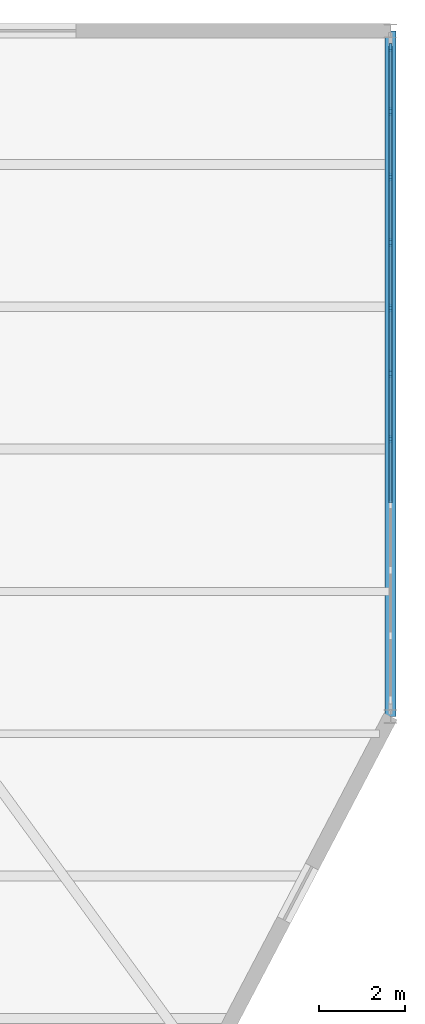
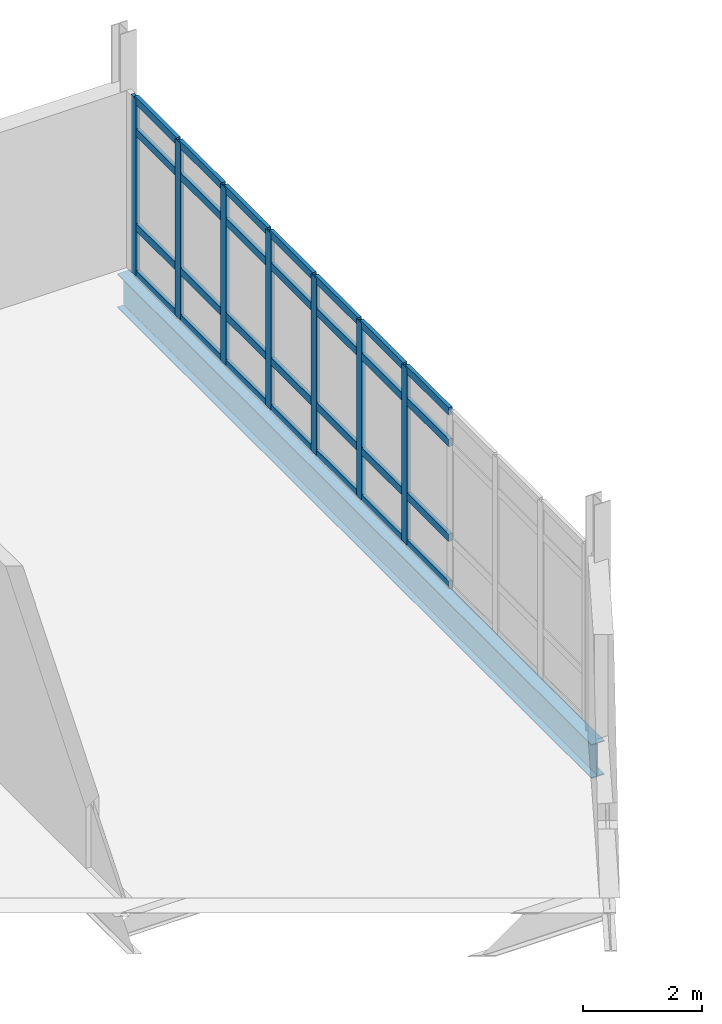
# One storey, part 80 of 134: 35 members, 1 beam, 1 element without a shape of its own.
"""IFC4 building model written with IfcOpenShell, lengths in metres."""

from ifc_helpers import new_model, si_unit, direction, frame, origin, origin_2d, place, context, subcontext, project, spatial, rectangle, i_section, extrude, material, material_profile, profile_set, type_object, element, aggregate, save


model = new_model("IFC4")

# Units and contexts
model_context = context("Model", 3, precision=1e-05, world=origin(), true_north=direction((0.0, 1.0)))
body_context = subcontext(model_context, "Body", "Model", "MODEL_VIEW")
ifc_project = project(units=[si_unit("LENGTHUNIT", "METRE"), si_unit("AREAUNIT", "SQUARE_METRE"), si_unit("VOLUMEUNIT", "CUBIC_METRE"), si_unit("PLANEANGLEUNIT", "RADIAN"), si_unit("MASSUNIT", "GRAM", prefix="KILO")], contexts=[model_context])

# Site, building, storey
site_placement = place(None, origin())
site = spatial("IfcSite", under=ifc_project, at=site_placement, CompositionType="ELEMENT")
building_placement = place(site_placement, origin())
building = spatial("IfcBuilding", under=site, at=building_placement, Name="Tameran Prism Museum", CompositionType="ELEMENT")
storey_placement = place(building_placement, frame((0.0, 0.0, 5.39990234375)))
storey = spatial("IfcBuildingStorey", under=building, at=storey_placement, Name="L01", CompositionType="ELEMENT", Elevation=5.39990234375)

# Beam
ifc_material_1 = material(Name="Steel Grade 350 (350 MPa)", Category="steel")
ifc_material_profile_1 = material_profile(ifc_material_1, i_section(OverallWidth=0.25, OverallDepth=0.699951171875, WebThickness=0.010009765625, FlangeThickness=0.02001953125, at=origin_2d()))
ifc_profile_set_1 = profile_set([ifc_material_profile_1])
beam_type = type_object("IfcBeamType", Name="BM-SP700", PredefinedType="SPANDREL", material=ifc_profile_set_1)
beam_placement = place(storey_placement, frame((166.39990234375, 96.10009765625, -0.5498046875), z_axis=(0.0, 1.0, 0.0), x_axis=(-1.0, 0.0, 0.0)))
element("IfcBeam", 1, at=beam_placement, inside=storey, type_object=beam_type, Name="Perimeter Spandrel SP-0342", PredefinedType="SPANDREL", context=body_context, shape_type="SweptSolid", body=[
    extrude(i_section(OverallWidth=0.25, OverallDepth=0.699951171875, WebThickness=0.010009765625, FlangeThickness=0.02001953125, at=origin_2d()), origin(), (0.0, 0.0, 1.0), 15.89990234375),
])

# Curtain wall, members
ifc_material_2 = material(Name="Anodised Aluminium 6063-T6 and Cyclone Solar Glass", Category="aluminium")
curtain_wall_type = type_object("IfcCurtainWallType", Name="CW-FAC-1520x362", PredefinedType="USERDEFINED", material=ifc_material_2)
curtain_wall_placement = place(storey_placement, origin())
curtain_wall = element("IfcCurtainWall", 2, at=curtain_wall_placement, inside=storey, type_object=curtain_wall_type, Name="Unitised Curtain Wall CW-060", ObjectType="UNITISED CURTAIN WALL", PredefinedType="USERDEFINED")
ifc_material_3 = material(Name="Anodised Aluminium Alloy 6063-T6", Category="aluminium")
ifc_material_profile_2 = material_profile(ifc_material_3, rectangle(XDim=0.070068359375, YDim=0.179931640625, at=origin_2d()))
ifc_profile_set_2 = profile_set([ifc_material_profile_2])
member_type_1 = type_object("IfcMemberType", Name="CW-MUL-B", PredefinedType="MULLION", material=ifc_profile_set_2)
member_1_placement = place(storey_placement, frame((166.39990234375, 111.614990234375, 0.0), z_axis=(0.0, 0.0, 1.0), x_axis=(1.0, 0.0, 0.0)))
member_1 = element("IfcMember", 3, at=member_1_placement, type_object=member_type_1, Name="CW-060 mullion 1", PredefinedType="MULLION", context=body_context, shape_type="SweptSolid", body=[
    extrude(rectangle(XDim=0.070068359375, YDim=0.179931640625, at=origin_2d()), origin(), (0.0, 0.0, 1.0), 3.6201171875),
])
member_2_placement = place(storey_placement, frame((166.39990234375, 110.1298828125, 0.0), z_axis=(0.0, 0.0, 1.0), x_axis=(1.0, 0.0, 0.0)))
member_2 = element("IfcMember", 4, at=member_2_placement, type_object=member_type_1, Name="CW-060 mullion 2", PredefinedType="MULLION", context=body_context, shape_type="SweptSolid", body=[
    extrude(rectangle(XDim=0.070068359375, YDim=0.179931640625, at=origin_2d()), origin(), (0.0, 0.0, 1.0), 3.6201171875),
])
member_3_placement = place(storey_placement, frame((166.39990234375, 108.610107421875, 0.0), z_axis=(0.0, 0.0, 1.0), x_axis=(1.0, 0.0, 0.0)))
member_3 = element("IfcMember", 5, at=member_3_placement, type_object=member_type_1, Name="CW-060 mullion 3", PredefinedType="MULLION", context=body_context, shape_type="SweptSolid", body=[
    extrude(rectangle(XDim=0.070068359375, YDim=0.179931640625, at=origin_2d()), origin(), (0.0, 0.0, 1.0), 3.6201171875),
])
member_4_placement = place(storey_placement, frame((166.39990234375, 107.090087890625, 0.0), z_axis=(0.0, 0.0, 1.0), x_axis=(1.0, 0.0, 0.0)))
member_4 = element("IfcMember", 6, at=member_4_placement, type_object=member_type_1, Name="CW-060 mullion 4", PredefinedType="MULLION", context=body_context, shape_type="SweptSolid", body=[
    extrude(rectangle(XDim=0.070068359375, YDim=0.179931640625, at=origin_2d()), origin(), (0.0, 0.0, 1.0), 3.6201171875),
])
member_5_placement = place(storey_placement, frame((166.39990234375, 105.570068359375, 0.0), z_axis=(0.0, 0.0, 1.0), x_axis=(1.0, 0.0, 0.0)))
member_5 = element("IfcMember", 7, at=member_5_placement, type_object=member_type_1, Name="CW-060 mullion 5", PredefinedType="MULLION", context=body_context, shape_type="SweptSolid", body=[
    extrude(rectangle(XDim=0.070068359375, YDim=0.179931640625, at=origin_2d()), origin(), (0.0, 0.0, 1.0), 3.6201171875),
])
member_6_placement = place(storey_placement, frame((166.39990234375, 104.050048828125, 0.0), z_axis=(0.0, 0.0, 1.0), x_axis=(1.0, 0.0, 0.0)))
member_6 = element("IfcMember", 8, at=member_6_placement, type_object=member_type_1, Name="CW-060 mullion 6", PredefinedType="MULLION", context=body_context, shape_type="SweptSolid", body=[
    extrude(rectangle(XDim=0.070068359375, YDim=0.179931640625, at=origin_2d()), origin(), (0.0, 0.0, 1.0), 3.6201171875),
])
member_7_placement = place(storey_placement, frame((166.39990234375, 102.530029296875, 0.0), z_axis=(0.0, 0.0, 1.0), x_axis=(1.0, 0.0, 0.0)))
member_7 = element("IfcMember", 9, at=member_7_placement, type_object=member_type_1, Name="CW-060 mullion 7", PredefinedType="MULLION", context=body_context, shape_type="SweptSolid", body=[
    extrude(rectangle(XDim=0.070068359375, YDim=0.179931640625, at=origin_2d()), origin(), (0.0, 0.0, 1.0), 3.6201171875),
])
ifc_material_4 = material(Name="Anodised Aluminium Alloy 6063-T6", Category="aluminium")
ifc_material_profile_3 = material_profile(ifc_material_4, rectangle(XDim=0.070068359375, YDim=0.155029296875, at=origin_2d()))
ifc_profile_set_3 = profile_set([ifc_material_profile_3])
member_type_2 = type_object("IfcMemberType", Name="CW-TRN-B", PredefinedType="USERDEFINED", material=ifc_profile_set_3)
member_8_placement = place(storey_placement, frame((166.39990234375, 111.580078125, 0.03515625), z_axis=(0.0, -1.0, 0.0), x_axis=(1.0, 0.0, 0.0)))
member_8 = element("IfcMember", 10, at=member_8_placement, type_object=member_type_2, Name="CW-060 transom 1.1", ObjectType="TRANSOM", PredefinedType="USERDEFINED", context=body_context, shape_type="SweptSolid", body=[
    extrude(rectangle(XDim=0.070068359375, YDim=0.155029296875, at=origin_2d()), origin(), (0.0, 0.0, 1.0), 1.4150390625),
])
member_9_placement = place(storey_placement, frame((166.39990234375, 111.580078125, 1.0), z_axis=(0.0, -1.0, 0.0), x_axis=(1.0, 0.0, 0.0)))
member_9 = element("IfcMember", 11, at=member_9_placement, type_object=member_type_2, Name="CW-060 transom 1.2", ObjectType="TRANSOM", PredefinedType="USERDEFINED", context=body_context, shape_type="SweptSolid", body=[
    extrude(rectangle(XDim=0.070068359375, YDim=0.155029296875, at=origin_2d()), origin(), (0.0, 0.0, 1.0), 1.4150390625),
])
member_10_placement = place(storey_placement, frame((166.39990234375, 111.580078125, 2.940185546875), z_axis=(0.0, -1.0, 0.0), x_axis=(1.0, 0.0, 0.0)))
member_10 = element("IfcMember", 12, at=member_10_placement, type_object=member_type_2, Name="CW-060 transom 1.3", ObjectType="TRANSOM", PredefinedType="USERDEFINED", context=body_context, shape_type="SweptSolid", body=[
    extrude(rectangle(XDim=0.070068359375, YDim=0.155029296875, at=origin_2d()), origin(), (0.0, 0.0, 1.0), 1.4150390625),
])
member_11_placement = place(storey_placement, frame((166.39990234375, 111.580078125, 3.585205078125), z_axis=(0.0, -1.0, 0.0), x_axis=(1.0, 0.0, 0.0)))
member_11 = element("IfcMember", 13, at=member_11_placement, type_object=member_type_2, Name="CW-060 transom 1.4", ObjectType="TRANSOM", PredefinedType="USERDEFINED", context=body_context, shape_type="SweptSolid", body=[
    extrude(rectangle(XDim=0.070068359375, YDim=0.155029296875, at=origin_2d()), origin(), (0.0, 0.0, 1.0), 1.4150390625),
])
member_12_placement = place(storey_placement, frame((166.39990234375, 110.094970703125, 0.03515625), z_axis=(0.0, -1.0, 0.0), x_axis=(1.0, 0.0, 0.0)))
member_12 = element("IfcMember", 14, at=member_12_placement, type_object=member_type_2, Name="CW-060 transom 2.1", ObjectType="TRANSOM", PredefinedType="USERDEFINED", context=body_context, shape_type="SweptSolid", body=[
    extrude(rectangle(XDim=0.070068359375, YDim=0.155029296875, at=origin_2d()), origin(), (0.0, 0.0, 1.0), 1.449951171875),
])
member_13_placement = place(storey_placement, frame((166.39990234375, 110.094970703125, 1.0), z_axis=(0.0, -1.0, 0.0), x_axis=(1.0, 0.0, 0.0)))
member_13 = element("IfcMember", 15, at=member_13_placement, type_object=member_type_2, Name="CW-060 transom 2.2", ObjectType="TRANSOM", PredefinedType="USERDEFINED", context=body_context, shape_type="SweptSolid", body=[
    extrude(rectangle(XDim=0.070068359375, YDim=0.155029296875, at=origin_2d()), origin(), (0.0, 0.0, 1.0), 1.449951171875),
])
member_14_placement = place(storey_placement, frame((166.39990234375, 110.094970703125, 2.940185546875), z_axis=(0.0, -1.0, 0.0), x_axis=(1.0, 0.0, 0.0)))
member_14 = element("IfcMember", 16, at=member_14_placement, type_object=member_type_2, Name="CW-060 transom 2.3", ObjectType="TRANSOM", PredefinedType="USERDEFINED", context=body_context, shape_type="SweptSolid", body=[
    extrude(rectangle(XDim=0.070068359375, YDim=0.155029296875, at=origin_2d()), origin(), (0.0, 0.0, 1.0), 1.449951171875),
])
member_15_placement = place(storey_placement, frame((166.39990234375, 110.094970703125, 3.585205078125), z_axis=(0.0, -1.0, 0.0), x_axis=(1.0, 0.0, 0.0)))
member_15 = element("IfcMember", 17, at=member_15_placement, type_object=member_type_2, Name="CW-060 transom 2.4", ObjectType="TRANSOM", PredefinedType="USERDEFINED", context=body_context, shape_type="SweptSolid", body=[
    extrude(rectangle(XDim=0.070068359375, YDim=0.155029296875, at=origin_2d()), origin(), (0.0, 0.0, 1.0), 1.449951171875),
])
member_16_placement = place(storey_placement, frame((166.39990234375, 108.574951171875, 0.03515625), z_axis=(0.0, -1.0, 0.0), x_axis=(1.0, 0.0, 0.0)))
member_16 = element("IfcMember", 18, at=member_16_placement, type_object=member_type_2, Name="CW-060 transom 3.1", ObjectType="TRANSOM", PredefinedType="USERDEFINED", context=body_context, shape_type="SweptSolid", body=[
    extrude(rectangle(XDim=0.070068359375, YDim=0.155029296875, at=origin_2d()), origin(), (0.0, 0.0, 1.0), 1.449951171875),
])
member_17_placement = place(storey_placement, frame((166.39990234375, 108.574951171875, 1.0), z_axis=(0.0, -1.0, 0.0), x_axis=(1.0, 0.0, 0.0)))
member_17 = element("IfcMember", 19, at=member_17_placement, type_object=member_type_2, Name="CW-060 transom 3.2", ObjectType="TRANSOM", PredefinedType="USERDEFINED", context=body_context, shape_type="SweptSolid", body=[
    extrude(rectangle(XDim=0.070068359375, YDim=0.155029296875, at=origin_2d()), origin(), (0.0, 0.0, 1.0), 1.449951171875),
])
member_18_placement = place(storey_placement, frame((166.39990234375, 108.574951171875, 2.940185546875), z_axis=(0.0, -1.0, 0.0), x_axis=(1.0, 0.0, 0.0)))
member_18 = element("IfcMember", 20, at=member_18_placement, type_object=member_type_2, Name="CW-060 transom 3.3", ObjectType="TRANSOM", PredefinedType="USERDEFINED", context=body_context, shape_type="SweptSolid", body=[
    extrude(rectangle(XDim=0.070068359375, YDim=0.155029296875, at=origin_2d()), origin(), (0.0, 0.0, 1.0), 1.449951171875),
])
member_19_placement = place(storey_placement, frame((166.39990234375, 108.574951171875, 3.585205078125), z_axis=(0.0, -1.0, 0.0), x_axis=(1.0, 0.0, 0.0)))
member_19 = element("IfcMember", 21, at=member_19_placement, type_object=member_type_2, Name="CW-060 transom 3.4", ObjectType="TRANSOM", PredefinedType="USERDEFINED", context=body_context, shape_type="SweptSolid", body=[
    extrude(rectangle(XDim=0.070068359375, YDim=0.155029296875, at=origin_2d()), origin(), (0.0, 0.0, 1.0), 1.449951171875),
])
member_20_placement = place(storey_placement, frame((166.39990234375, 107.054931640625, 0.03515625), z_axis=(0.0, -1.0, 0.0), x_axis=(1.0, 0.0, 0.0)))
member_20 = element("IfcMember", 22, at=member_20_placement, type_object=member_type_2, Name="CW-060 transom 4.1", ObjectType="TRANSOM", PredefinedType="USERDEFINED", context=body_context, shape_type="SweptSolid", body=[
    extrude(rectangle(XDim=0.070068359375, YDim=0.155029296875, at=origin_2d()), origin(), (0.0, 0.0, 1.0), 1.449951171875),
])
member_21_placement = place(storey_placement, frame((166.39990234375, 107.054931640625, 1.0), z_axis=(0.0, -1.0, 0.0), x_axis=(1.0, 0.0, 0.0)))
member_21 = element("IfcMember", 23, at=member_21_placement, type_object=member_type_2, Name="CW-060 transom 4.2", ObjectType="TRANSOM", PredefinedType="USERDEFINED", context=body_context, shape_type="SweptSolid", body=[
    extrude(rectangle(XDim=0.070068359375, YDim=0.155029296875, at=origin_2d()), origin(), (0.0, 0.0, 1.0), 1.449951171875),
])
member_22_placement = place(storey_placement, frame((166.39990234375, 107.054931640625, 2.940185546875), z_axis=(0.0, -1.0, 0.0), x_axis=(1.0, 0.0, 0.0)))
member_22 = element("IfcMember", 24, at=member_22_placement, type_object=member_type_2, Name="CW-060 transom 4.3", ObjectType="TRANSOM", PredefinedType="USERDEFINED", context=body_context, shape_type="SweptSolid", body=[
    extrude(rectangle(XDim=0.070068359375, YDim=0.155029296875, at=origin_2d()), origin(), (0.0, 0.0, 1.0), 1.449951171875),
])
member_23_placement = place(storey_placement, frame((166.39990234375, 107.054931640625, 3.585205078125), z_axis=(0.0, -1.0, 0.0), x_axis=(1.0, 0.0, 0.0)))
member_23 = element("IfcMember", 25, at=member_23_placement, type_object=member_type_2, Name="CW-060 transom 4.4", ObjectType="TRANSOM", PredefinedType="USERDEFINED", context=body_context, shape_type="SweptSolid", body=[
    extrude(rectangle(XDim=0.070068359375, YDim=0.155029296875, at=origin_2d()), origin(), (0.0, 0.0, 1.0), 1.449951171875),
])
member_24_placement = place(storey_placement, frame((166.39990234375, 105.534912109375, 0.03515625), z_axis=(0.0, -1.0, 0.0), x_axis=(1.0, 0.0, 0.0)))
member_24 = element("IfcMember", 26, at=member_24_placement, type_object=member_type_2, Name="CW-060 transom 5.1", ObjectType="TRANSOM", PredefinedType="USERDEFINED", context=body_context, shape_type="SweptSolid", body=[
    extrude(rectangle(XDim=0.070068359375, YDim=0.155029296875, at=origin_2d()), origin(), (0.0, 0.0, 1.0), 1.449951171875),
])
member_25_placement = place(storey_placement, frame((166.39990234375, 105.534912109375, 1.0), z_axis=(0.0, -1.0, 0.0), x_axis=(1.0, 0.0, 0.0)))
member_25 = element("IfcMember", 27, at=member_25_placement, type_object=member_type_2, Name="CW-060 transom 5.2", ObjectType="TRANSOM", PredefinedType="USERDEFINED", context=body_context, shape_type="SweptSolid", body=[
    extrude(rectangle(XDim=0.070068359375, YDim=0.155029296875, at=origin_2d()), origin(), (0.0, 0.0, 1.0), 1.449951171875),
])
member_26_placement = place(storey_placement, frame((166.39990234375, 105.534912109375, 2.940185546875), z_axis=(0.0, -1.0, 0.0), x_axis=(1.0, 0.0, 0.0)))
member_26 = element("IfcMember", 28, at=member_26_placement, type_object=member_type_2, Name="CW-060 transom 5.3", ObjectType="TRANSOM", PredefinedType="USERDEFINED", context=body_context, shape_type="SweptSolid", body=[
    extrude(rectangle(XDim=0.070068359375, YDim=0.155029296875, at=origin_2d()), origin(), (0.0, 0.0, 1.0), 1.449951171875),
])
member_27_placement = place(storey_placement, frame((166.39990234375, 105.534912109375, 3.585205078125), z_axis=(0.0, -1.0, 0.0), x_axis=(1.0, 0.0, 0.0)))
member_27 = element("IfcMember", 29, at=member_27_placement, type_object=member_type_2, Name="CW-060 transom 5.4", ObjectType="TRANSOM", PredefinedType="USERDEFINED", context=body_context, shape_type="SweptSolid", body=[
    extrude(rectangle(XDim=0.070068359375, YDim=0.155029296875, at=origin_2d()), origin(), (0.0, 0.0, 1.0), 1.449951171875),
])
member_28_placement = place(storey_placement, frame((166.39990234375, 104.014892578125, 0.03515625), z_axis=(0.0, -1.0, 0.0), x_axis=(1.0, 0.0, 0.0)))
member_28 = element("IfcMember", 30, at=member_28_placement, type_object=member_type_2, Name="CW-060 transom 6.1", ObjectType="TRANSOM", PredefinedType="USERDEFINED", context=body_context, shape_type="SweptSolid", body=[
    extrude(rectangle(XDim=0.070068359375, YDim=0.155029296875, at=origin_2d()), origin(), (0.0, 0.0, 1.0), 1.449951171875),
])
member_29_placement = place(storey_placement, frame((166.39990234375, 104.014892578125, 1.0), z_axis=(0.0, -1.0, 0.0), x_axis=(1.0, 0.0, 0.0)))
member_29 = element("IfcMember", 31, at=member_29_placement, type_object=member_type_2, Name="CW-060 transom 6.2", ObjectType="TRANSOM", PredefinedType="USERDEFINED", context=body_context, shape_type="SweptSolid", body=[
    extrude(rectangle(XDim=0.070068359375, YDim=0.155029296875, at=origin_2d()), origin(), (0.0, 0.0, 1.0), 1.449951171875),
])
member_30_placement = place(storey_placement, frame((166.39990234375, 104.014892578125, 2.940185546875), z_axis=(0.0, -1.0, 0.0), x_axis=(1.0, 0.0, 0.0)))
member_30 = element("IfcMember", 32, at=member_30_placement, type_object=member_type_2, Name="CW-060 transom 6.3", ObjectType="TRANSOM", PredefinedType="USERDEFINED", context=body_context, shape_type="SweptSolid", body=[
    extrude(rectangle(XDim=0.070068359375, YDim=0.155029296875, at=origin_2d()), origin(), (0.0, 0.0, 1.0), 1.449951171875),
])
member_31_placement = place(storey_placement, frame((166.39990234375, 104.014892578125, 3.585205078125), z_axis=(0.0, -1.0, 0.0), x_axis=(1.0, 0.0, 0.0)))
member_31 = element("IfcMember", 33, at=member_31_placement, type_object=member_type_2, Name="CW-060 transom 6.4", ObjectType="TRANSOM", PredefinedType="USERDEFINED", context=body_context, shape_type="SweptSolid", body=[
    extrude(rectangle(XDim=0.070068359375, YDim=0.155029296875, at=origin_2d()), origin(), (0.0, 0.0, 1.0), 1.449951171875),
])
member_32_placement = place(storey_placement, frame((166.39990234375, 102.4951171875, 0.03515625), z_axis=(0.0, -1.0, 0.0), x_axis=(1.0, 0.0, 0.0)))
member_32 = element("IfcMember", 34, at=member_32_placement, type_object=member_type_2, Name="CW-060 transom 7.1", ObjectType="TRANSOM", PredefinedType="USERDEFINED", context=body_context, shape_type="SweptSolid", body=[
    extrude(rectangle(XDim=0.070068359375, YDim=0.155029296875, at=origin_2d()), origin(), (0.0, 0.0, 1.0), 1.4501953125),
])
member_33_placement = place(storey_placement, frame((166.39990234375, 102.4951171875, 1.0), z_axis=(0.0, -1.0, 0.0), x_axis=(1.0, 0.0, 0.0)))
member_33 = element("IfcMember", 35, at=member_33_placement, type_object=member_type_2, Name="CW-060 transom 7.2", ObjectType="TRANSOM", PredefinedType="USERDEFINED", context=body_context, shape_type="SweptSolid", body=[
    extrude(rectangle(XDim=0.070068359375, YDim=0.155029296875, at=origin_2d()), origin(), (0.0, 0.0, 1.0), 1.4501953125),
])
member_34_placement = place(storey_placement, frame((166.39990234375, 102.4951171875, 2.940185546875), z_axis=(0.0, -1.0, 0.0), x_axis=(1.0, 0.0, 0.0)))
member_34 = element("IfcMember", 36, at=member_34_placement, type_object=member_type_2, Name="CW-060 transom 7.3", ObjectType="TRANSOM", PredefinedType="USERDEFINED", context=body_context, shape_type="SweptSolid", body=[
    extrude(rectangle(XDim=0.070068359375, YDim=0.155029296875, at=origin_2d()), origin(), (0.0, 0.0, 1.0), 1.4501953125),
])
member_35_placement = place(storey_placement, frame((166.39990234375, 102.4951171875, 3.585205078125), z_axis=(0.0, -1.0, 0.0), x_axis=(1.0, 0.0, 0.0)))
member_35 = element("IfcMember", 37, at=member_35_placement, type_object=member_type_2, Name="CW-060 transom 7.4", ObjectType="TRANSOM", PredefinedType="USERDEFINED", context=body_context, shape_type="SweptSolid", body=[
    extrude(rectangle(XDim=0.070068359375, YDim=0.155029296875, at=origin_2d()), origin(), (0.0, 0.0, 1.0), 1.4501953125),
])
aggregate(curtain_wall, [member_1, member_2, member_3, member_4, member_5, member_6, member_7, member_8, member_9, member_10, member_11, member_12, member_13, member_14, member_15, member_16, member_17, member_18, member_19, member_20, member_21, member_22, member_23, member_24, member_25, member_26, member_27, member_28, member_29, member_30, member_31, member_32, member_33, member_34, member_35])

save(model, "model.ifc")
